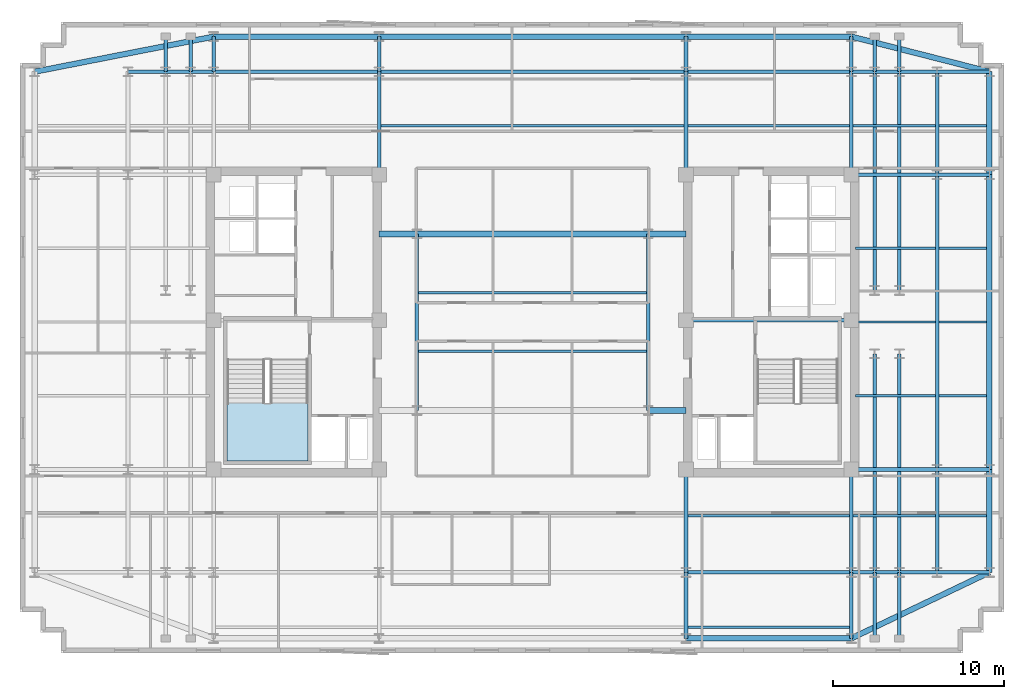
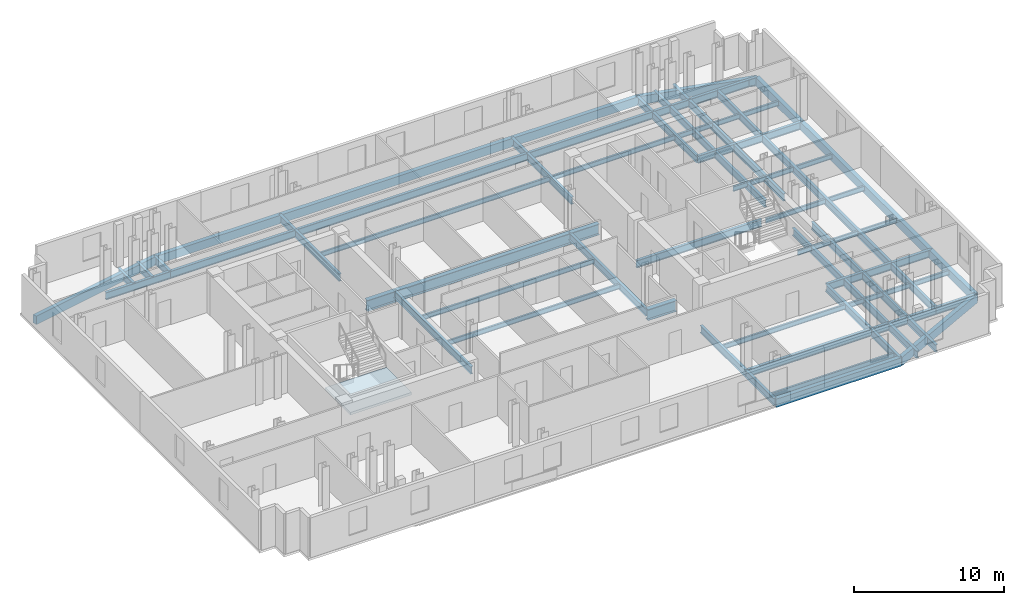
# One storey, part 2 of 9: 70 beams, 1 slab, 1 element without a shape of its own.
"""IFC4 building model written with IfcOpenShell, lengths in metres."""

from ifc_helpers import new_model, si_unit, direction, frame, origin, origin_2d, place, context, subcontext, project, spatial, polyline, rectangle, i_section, outline, extrude, material, layer, layer_set, material_profile, profile_set, type_object, element, aggregate, save


model = new_model("IFC4")

# Units and contexts
model_context = context("Model", 3, precision=1e-05, world=origin(), true_north=direction((0.0, 1.0)))
body_context = subcontext(model_context, "Body", "Model", "MODEL_VIEW")
ifc_project = project(units=[si_unit("LENGTHUNIT", "METRE"), si_unit("AREAUNIT", "SQUARE_METRE"), si_unit("VOLUMEUNIT", "CUBIC_METRE"), si_unit("PLANEANGLEUNIT", "RADIAN"), si_unit("MASSUNIT", "GRAM", prefix="KILO")], contexts=[model_context])

# Site, building, storey
site_placement = place(None, origin())
site = spatial("IfcSite", under=ifc_project, at=site_placement, CompositionType="ELEMENT")
building_placement = place(site_placement, origin())
building = spatial("IfcBuilding", under=site, at=building_placement, Name="Velakula Bourse", CompositionType="ELEMENT")
storey_placement = place(building_placement, frame((0.0, 0.0, 229.199951171875)))
storey = spatial("IfcBuildingStorey", under=building, at=storey_placement, Name="L62", CompositionType="ELEMENT", Elevation=229.199951171875)

# Beams
ifc_material_1 = material(Name="Steel IS 2062 Grade 350 (E350)", Category="steel")
ifc_material_profile_1 = material_profile(ifc_material_1, i_section(OverallWidth=0.2099609375, OverallDepth=0.60009765625, WebThickness=0.011962890625, FlangeThickness=0.020751953125, at=origin_2d()), Name="Steel IS 2062 Grade 350 (E350)")
ifc_profile_set_1 = profile_set([ifc_material_profile_1], Name="Steel IS 2062 Grade 350 (E350)")
beam_type_1 = type_object("IfcBeamType", Name="BM-GRD-600L", PredefinedType="BEAM", material=ifc_profile_set_1)
beam_1_placement = place(storey_placement, frame((8.949951171875, 0.10009765625, -0.47998046875), z_axis=(1.0, 0.0, 0.0), x_axis=(0.0, 1.0, 0.0)))
element("IfcBeam", 1, at=beam_1_placement, inside=storey, type_object=beam_type_1, Name="L62 Primary Backbone Girder CRE-M", PredefinedType="BEAM", context=body_context, shape_type="SweptSolid", body=[
    extrude(i_section(OverallWidth=0.2099609375, OverallDepth=0.60009765625, WebThickness=0.011962890625, FlangeThickness=0.020751953125, at=origin_2d()), origin(), (0.0, 0.0, 1.0), 9.650146484375),
])
for number, where, z_axis, x_axis, name in (
    (2, (-6.75, -5.14990234375, -0.47998046875), (0.0, 1.0, 0.0), (-1.0, 0.0, 0.0), "L62 Primary Backbone Girder SPN-W"),
    (3, (6.75, -5.14990234375, -0.47998046875), (0.0, 1.0, 0.0), (-1.0, 0.0, 0.0), "L62 Primary Backbone Girder SPN-E"),
):
    element("IfcBeam", number, at=place(storey_placement, frame(where, z_axis=z_axis, x_axis=x_axis)), inside=storey, type_object=beam_type_1, Name=name, PredefinedType="BEAM", context=body_context, shape_type="SweptSolid", body=[
        extrude(i_section(OverallWidth=0.2099609375, OverallDepth=0.60009765625, WebThickness=0.011962890625, FlangeThickness=0.020751953125, at=origin_2d()), origin(), (0.0, 0.0, 1.0), 10.2998046875),
    ])
for number, where, z_axis, x_axis, name in (
    (4, (-8.949951171875, 8.60009765625, -0.47998046875), (0.0, 1.0, 0.0), (-1.0, 0.0, 0.0), "L62 Fulcrum Grid Girder FLC-WCN"),
    (5, (8.949951171875, -14.60009765625, -0.47998046875), (0.0, 1.0, 0.0), (-1.0, 0.0, 0.0), "L62 Fulcrum Grid Girder FLC-ECS"),
    (6, (8.949951171875, 8.60009765625, -0.47998046875), (0.0, 1.0, 0.0), (-1.0, 0.0, 0.0), "L62 Fulcrum Grid Girder FLC-ECN"),
    (7, (18.60009765625, -14.60009765625, -0.47998046875), (0.0, 1.0, 0.0), (-1.0, 0.0, 0.0), "L62 Fulcrum Grid Girder FLC-ES"),
    (8, (18.60009765625, 8.60009765625, -0.47998046875), (0.0, 1.0, 0.0), (-1.0, 0.0, 0.0), "L62 Fulcrum Grid Girder FLC-EN"),
):
    element("IfcBeam", number, at=place(storey_placement, frame(where, z_axis=z_axis, x_axis=x_axis)), inside=storey, type_object=beam_type_1, Name=name, PredefinedType="BEAM", context=body_context, shape_type="SweptSolid", body=[
        extrude(i_section(OverallWidth=0.2099609375, OverallDepth=0.60009765625, WebThickness=0.011962890625, FlangeThickness=0.020751953125, at=origin_2d()), origin(), (0.0, 0.0, 1.0), 6.0),
    ])
for number, where, z_axis, x_axis, name in (
    (9, (8.949951171875, -14.60009765625, -0.47998046875), (1.0, 0.0, 0.0), (0.0, 1.0, 0.0), "L62 Fulcrum Grid Girder FLC-S3"),
    (10, (-18.60009765625, 14.60009765625, -0.47998046875), (1.0, 0.0, 0.0), (0.0, 1.0, 0.0), "L62 Fulcrum Grid Girder FLC-N1"),
):
    element("IfcBeam", number, at=place(storey_placement, frame(where, z_axis=z_axis, x_axis=x_axis)), inside=storey, type_object=beam_type_1, Name=name, PredefinedType="BEAM", context=body_context, shape_type="SweptSolid", body=[
        extrude(i_section(OverallWidth=0.2099609375, OverallDepth=0.60009765625, WebThickness=0.011962890625, FlangeThickness=0.020751953125, at=origin_2d()), origin(), (0.0, 0.0, 1.0), 9.650146484375),
    ])
beam_2_placement = place(storey_placement, frame((-8.949951171875, 14.60009765625, -0.47998046875), z_axis=(1.0, 0.0, 0.0), x_axis=(0.0, 1.0, 0.0)))
element("IfcBeam", 11, at=beam_2_placement, inside=storey, type_object=beam_type_1, Name="L62 Fulcrum Grid Girder FLC-N2", PredefinedType="BEAM", context=body_context, shape_type="SweptSolid", body=[
    extrude(i_section(OverallWidth=0.2099609375, OverallDepth=0.60009765625, WebThickness=0.011962890625, FlangeThickness=0.020751953125, at=origin_2d()), origin(), (0.0, 0.0, 1.0), 17.89990234375),
])
beam_3_placement = place(storey_placement, frame((8.949951171875, 14.60009765625, -0.47998046875), z_axis=(1.0, 0.0, 0.0), x_axis=(0.0, 1.0, 0.0)))
element("IfcBeam", 12, at=beam_3_placement, inside=storey, type_object=beam_type_1, Name="L62 Fulcrum Grid Girder FLC-N3", PredefinedType="BEAM", context=body_context, shape_type="SweptSolid", body=[
    extrude(i_section(OverallWidth=0.2099609375, OverallDepth=0.60009765625, WebThickness=0.011962890625, FlangeThickness=0.020751953125, at=origin_2d()), origin(), (0.0, 0.0, 1.0), 9.650146484375),
])
for number, where, z_axis, x_axis, name in (
    (13, (19.949951171875, -14.60009765625, -0.47998046875), (0.0, 1.0, 0.0), (-1.0, 0.0, 0.0), "L62 Fulcrum Grid Girder FLC-PSE1"),
    (14, (19.949951171875, 1.85009765625, -0.47998046875), (0.0, 1.0, 0.0), (-1.0, 0.0, 0.0), "L62 Fulcrum Grid Girder FLC-PNE1"),
    (15, (21.39990234375, -14.60009765625, -0.47998046875), (0.0, 1.0, 0.0), (-1.0, 0.0, 0.0), "L62 Fulcrum Grid Girder FLC-PSE2"),
    (16, (21.39990234375, 1.85009765625, -0.47998046875), (0.0, 1.0, 0.0), (-1.0, 0.0, 0.0), "L62 Fulcrum Grid Girder FLC-PNE2"),
):
    element("IfcBeam", number, at=place(storey_placement, frame(where, z_axis=z_axis, x_axis=x_axis)), inside=storey, type_object=beam_type_1, Name=name, PredefinedType="BEAM", context=body_context, shape_type="SweptSolid", body=[
        extrude(i_section(OverallWidth=0.2099609375, OverallDepth=0.60009765625, WebThickness=0.011962890625, FlangeThickness=0.020751953125, at=origin_2d()), origin(), (0.0, 0.0, 1.0), 12.75),
    ])
for number, where, z_axis, x_axis, name in (
    (17, (-23.60009765625, 14.60009765625, -0.47998046875), (1.0, 0.0, 0.0), (0.0, 1.0, 0.0), "L62 Fulcrum Grid Girder MWG-WN2"),
    (18, (18.60009765625, -14.60009765625, -0.47998046875), (1.0, 0.0, 0.0), (0.0, 1.0, 0.0), "L62 Fulcrum Grid Girder MWG-ES1"),
    (19, (18.60009765625, -8.60009765625, -0.47998046875), (1.0, 0.0, 0.0), (0.0, 1.0, 0.0), "L62 Fulcrum Grid Girder MWG-ES2"),
    (20, (18.60009765625, 8.60009765625, -0.47998046875), (1.0, 0.0, 0.0), (0.0, 1.0, 0.0), "L62 Fulcrum Grid Girder MWG-EN1"),
    (21, (18.60009765625, 14.60009765625, -0.47998046875), (1.0, 0.0, 0.0), (0.0, 1.0, 0.0), "L62 Fulcrum Grid Girder MWG-EN2"),
):
    element("IfcBeam", number, at=place(storey_placement, frame(where, z_axis=z_axis, x_axis=x_axis)), inside=storey, type_object=beam_type_1, Name=name, PredefinedType="BEAM", context=body_context, shape_type="SweptSolid", body=[
        extrude(i_section(OverallWidth=0.2099609375, OverallDepth=0.60009765625, WebThickness=0.011962890625, FlangeThickness=0.020751953125, at=origin_2d()), origin(), (0.0, 0.0, 1.0), 5.0),
    ])
beam_4_placement = place(storey_placement, frame((23.60009765625, -14.60009765625, -0.47998046875), z_axis=(0.0, 1.0, 0.0), x_axis=(-1.0, 0.0, 0.0)))
element("IfcBeam", 22, at=beam_4_placement, inside=storey, type_object=beam_type_1, Name="L62 Fulcrum Grid Girder MWG-ENS1", PredefinedType="BEAM", context=body_context, shape_type="SweptSolid", body=[
    extrude(i_section(OverallWidth=0.2099609375, OverallDepth=0.60009765625, WebThickness=0.011962890625, FlangeThickness=0.020751953125, at=origin_2d()), origin(), (0.0, 0.0, 1.0), 6.0),
])
beam_5_placement = place(storey_placement, frame((23.60009765625, -8.60009765625, -0.47998046875), z_axis=(0.0, 1.0, 0.0), x_axis=(-1.0, 0.0, 0.0)))
element("IfcBeam", 23, at=beam_5_placement, inside=storey, type_object=beam_type_1, Name="L62 Fulcrum Grid Girder MWG-ENS2", PredefinedType="BEAM", context=body_context, shape_type="SweptSolid", body=[
    extrude(i_section(OverallWidth=0.2099609375, OverallDepth=0.60009765625, WebThickness=0.011962890625, FlangeThickness=0.020751953125, at=origin_2d()), origin(), (0.0, 0.0, 1.0), 17.2001953125),
])
beam_6_placement = place(storey_placement, frame((23.60009765625, 8.60009765625, -0.47998046875), z_axis=(0.0, 1.0, 0.0), x_axis=(-1.0, 0.0, 0.0)))
element("IfcBeam", 24, at=beam_6_placement, inside=storey, type_object=beam_type_1, Name="L62 Fulcrum Grid Girder MWG-ENS3", PredefinedType="BEAM", context=body_context, shape_type="SweptSolid", body=[
    extrude(i_section(OverallWidth=0.2099609375, OverallDepth=0.60009765625, WebThickness=0.011962890625, FlangeThickness=0.020751953125, at=origin_2d()), origin(), (0.0, 0.0, 1.0), 6.0),
])
for number, where, z_axis, x_axis, name in (
    (25, (8.949951171875, -14.60009765625, -0.47998046875), (0.0, -1.0, 0.0), (1.0, 0.0, 0.0), "L62 Perimeter Tie Girder S3"),
    (26, (18.60009765625, -14.60009765625, -0.47998046875), (0.0, -1.0, 0.0), (1.0, 0.0, 0.0), "L62 Perimeter Tie Girder S4"),
):
    element("IfcBeam", number, at=place(storey_placement, frame(where, z_axis=z_axis, x_axis=x_axis)), inside=storey, type_object=beam_type_1, Name=name, PredefinedType="BEAM", context=body_context, shape_type="SweptSolid", body=[
        extrude(i_section(OverallWidth=0.2099609375, OverallDepth=0.60009765625, WebThickness=0.011962890625, FlangeThickness=0.020751953125, at=origin_2d()), origin(), (0.0, 0.0, 1.0), 3.849853515625),
    ])
for number, where, z_axis, x_axis, name in (
    (27, (-18.60009765625, 14.60009765625, -0.47998046875), (0.0, 1.0, 0.0), (-1.0, 0.0, 0.0), "L62 Perimeter Tie Girder N1"),
    (28, (-8.949951171875, 14.60009765625, -0.47998046875), (0.0, 1.0, 0.0), (-1.0, 0.0, 0.0), "L62 Perimeter Tie Girder N2"),
    (29, (8.949951171875, 14.60009765625, -0.47998046875), (0.0, 1.0, 0.0), (-1.0, 0.0, 0.0), "L62 Perimeter Tie Girder N3"),
    (30, (18.60009765625, 14.60009765625, -0.47998046875), (0.0, 1.0, 0.0), (-1.0, 0.0, 0.0), "L62 Perimeter Tie Girder N4"),
):
    element("IfcBeam", number, at=place(storey_placement, frame(where, z_axis=z_axis, x_axis=x_axis)), inside=storey, type_object=beam_type_1, Name=name, PredefinedType="BEAM", context=body_context, shape_type="SweptSolid", body=[
        extrude(i_section(OverallWidth=0.2099609375, OverallDepth=0.60009765625, WebThickness=0.011962890625, FlangeThickness=0.020751953125, at=origin_2d()), origin(), (0.0, 0.0, 1.0), 2.0498046875),
    ])
for number, where, z_axis, x_axis, name in (
    (31, (23.60009765625, -14.60009765625, -0.47998046875), (1.0, 0.0, 0.0), (0.0, 1.0, 0.0), "L62 Perimeter Tie Girder E1"),
    (32, (23.60009765625, -8.60009765625, -0.47998046875), (1.0, 0.0, 0.0), (0.0, 1.0, 0.0), "L62 Perimeter Tie Girder E2"),
    (33, (23.60009765625, 8.60009765625, -0.47998046875), (1.0, 0.0, 0.0), (0.0, 1.0, 0.0), "L62 Perimeter Tie Girder E3"),
    (34, (23.60009765625, 14.60009765625, -0.47998046875), (1.0, 0.0, 0.0), (0.0, 1.0, 0.0), "L62 Perimeter Tie Girder E4"),
):
    element("IfcBeam", number, at=place(storey_placement, frame(where, z_axis=z_axis, x_axis=x_axis)), inside=storey, type_object=beam_type_1, Name=name, PredefinedType="BEAM", context=body_context, shape_type="SweptSolid", body=[
        extrude(i_section(OverallWidth=0.2099609375, OverallDepth=0.60009765625, WebThickness=0.011962890625, FlangeThickness=0.020751953125, at=origin_2d()), origin(), (0.0, 0.0, 1.0), 3.0498046875),
    ])
for number, where, z_axis, x_axis, name in (
    (35, (19.949951171875, -14.60009765625, -0.47998046875), (0.0, -1.0, 0.0), (1.0, 0.0, 0.0), "L62 Perimeter Tie Girder P03"),
    (36, (21.39990234375, -14.60009765625, -0.47998046875), (0.0, -1.0, 0.0), (1.0, 0.0, 0.0), "L62 Perimeter Tie Girder P04"),
):
    element("IfcBeam", number, at=place(storey_placement, frame(where, z_axis=z_axis, x_axis=x_axis)), inside=storey, type_object=beam_type_1, Name=name, PredefinedType="BEAM", context=body_context, shape_type="SweptSolid", body=[
        extrude(i_section(OverallWidth=0.2099609375, OverallDepth=0.60009765625, WebThickness=0.011962890625, FlangeThickness=0.020751953125, at=origin_2d()), origin(), (0.0, 0.0, 1.0), 3.849853515625),
    ])
for number, where, z_axis, x_axis, name in (
    (37, (-21.39990234375, 14.60009765625, -0.47998046875), (0.0, 1.0, 0.0), (-1.0, 0.0, 0.0), "L62 Perimeter Tie Girder P05"),
    (38, (-19.949951171875, 14.60009765625, -0.47998046875), (0.0, 1.0, 0.0), (-1.0, 0.0, 0.0), "L62 Perimeter Tie Girder P06"),
    (39, (19.949951171875, 14.60009765625, -0.47998046875), (0.0, 1.0, 0.0), (-1.0, 0.0, 0.0), "L62 Perimeter Tie Girder P07"),
    (40, (21.39990234375, 14.60009765625, -0.47998046875), (0.0, 1.0, 0.0), (-1.0, 0.0, 0.0), "L62 Perimeter Tie Girder P08"),
):
    element("IfcBeam", number, at=place(storey_placement, frame(where, z_axis=z_axis, x_axis=x_axis)), inside=storey, type_object=beam_type_1, Name=name, PredefinedType="BEAM", context=body_context, shape_type="SweptSolid", body=[
        extrude(i_section(OverallWidth=0.2099609375, OverallDepth=0.60009765625, WebThickness=0.011962890625, FlangeThickness=0.020751953125, at=origin_2d()), origin(), (0.0, 0.0, 1.0), 2.0498046875),
    ])
ifc_material_profile_2 = material_profile(ifc_material_1, i_section(OverallWidth=0.35009765625, OverallDepth=0.89990234375, WebThickness=0.02001953125, FlangeThickness=0.031982421875, at=origin_2d()), Name="Steel IS 2062 Grade 350 (E350)")
ifc_profile_set_2 = profile_set([ifc_material_profile_2], Name="Steel IS 2062 Grade 350 (E350)")
beam_type_2 = type_object("IfcBeamType", Name="BM-LNK-900", PredefinedType="BEAM", material=ifc_profile_set_2)
for number, where, z_axis, x_axis, name in (
    (41, (6.75, -5.14990234375, -0.6298828125), (1.0, 0.0, 0.0), (0.0, 1.0, 0.0), "L62 Primary Backbone Girder LNK-S3"),
    (42, (-8.949951171875, 5.14990234375, -0.6298828125), (1.0, 0.0, 0.0), (0.0, 1.0, 0.0), "L62 Primary Backbone Girder LNK-N1"),
):
    element("IfcBeam", number, at=place(storey_placement, frame(where, z_axis=z_axis, x_axis=x_axis)), inside=storey, type_object=beam_type_2, Name=name, PredefinedType="BEAM", context=body_context, shape_type="SweptSolid", body=[
        extrude(i_section(OverallWidth=0.35009765625, OverallDepth=0.89990234375, WebThickness=0.02001953125, FlangeThickness=0.031982421875, at=origin_2d()), origin(), (0.0, 0.0, 1.0), 2.199951171875),
    ])
beam_7_placement = place(storey_placement, frame((-6.75, 5.14990234375, -0.6298828125), z_axis=(1.0, 0.0, 0.0), x_axis=(0.0, 1.0, 0.0)))
element("IfcBeam", 43, at=beam_7_placement, inside=storey, type_object=beam_type_2, Name="L62 Primary Backbone Girder LNK-N2", PredefinedType="BEAM", context=body_context, shape_type="SweptSolid", body=[
    extrude(i_section(OverallWidth=0.35009765625, OverallDepth=0.89990234375, WebThickness=0.02001953125, FlangeThickness=0.031982421875, at=origin_2d()), origin(), (0.0, 0.0, 1.0), 13.5),
])
beam_8_placement = place(storey_placement, frame((6.75, 5.14990234375, -0.6298828125), z_axis=(1.0, 0.0, 0.0), x_axis=(0.0, 1.0, 0.0)))
element("IfcBeam", 44, at=beam_8_placement, inside=storey, type_object=beam_type_2, Name="L62 Primary Backbone Girder LNK-N3", PredefinedType="BEAM", context=body_context, shape_type="SweptSolid", body=[
    extrude(i_section(OverallWidth=0.35009765625, OverallDepth=0.89990234375, WebThickness=0.02001953125, FlangeThickness=0.031982421875, at=origin_2d()), origin(), (0.0, 0.0, 1.0), 2.199951171875),
])
ifc_material_profile_3 = material_profile(ifc_material_1, i_section(OverallWidth=0.139892578125, OverallDepth=0.39990234375, WebThickness=0.0087890625, FlangeThickness=0.01611328125, at=origin_2d()), Name="Steel IS 2062 Grade 350 (E350)")
ifc_profile_set_3 = profile_set([ifc_material_profile_3], Name="Steel IS 2062 Grade 350 (E350)")
beam_type_3 = type_object("IfcBeamType", Name="JST-TWR-400", PredefinedType="JOIST", material=ifc_profile_set_3)
for number, where, z_axis, x_axis, name in (
    (45, (9.054931640625, -17.800048828125, -0.3798828125), (1.0, 0.0, 0.0), (0.0, 1.0, 0.0), "L62 Trading Floor Composite Joist 03"),
    (46, (9.054931640625, -11.300048828125, -0.3798828125), (1.0, 0.0, 0.0), (0.0, 1.0, 0.0), "L62 Trading Floor Composite Joist 08"),
):
    element("IfcBeam", number, at=place(storey_placement, frame(where, z_axis=z_axis, x_axis=x_axis)), inside=storey, type_object=beam_type_3, Name=name, PredefinedType="JOIST", context=body_context, shape_type="SweptSolid", body=[
        extrude(i_section(OverallWidth=0.139892578125, OverallDepth=0.39990234375, WebThickness=0.0087890625, FlangeThickness=0.01611328125, at=origin_2d()), origin(), (0.0, 0.0, 1.0), 9.440185546875),
    ])
beam_9_placement = place(storey_placement, frame((18.705078125, -11.300048828125, -0.3798828125), z_axis=(1.0, 0.0, 0.0), x_axis=(0.0, 1.0, 0.0)))
element("IfcBeam", 47, at=beam_9_placement, inside=storey, type_object=beam_type_3, Name="L62 Trading Floor Composite Joist 09", PredefinedType="JOIST", context=body_context, shape_type="SweptSolid", body=[
    extrude(i_section(OverallWidth=0.139892578125, OverallDepth=0.39990234375, WebThickness=0.0087890625, FlangeThickness=0.01611328125, at=origin_2d()), origin(), (0.0, 0.0, 1.0), 4.7900390625),
])
beam_10_placement = place(storey_placement, frame((23.705078125, -11.300048828125, -0.3798828125), z_axis=(1.0, 0.0, 0.0), x_axis=(0.0, 1.0, 0.0)))
element("IfcBeam", 48, at=beam_10_placement, inside=storey, type_object=beam_type_3, Name="L62 Trading Floor Composite Joist 10", PredefinedType="JOIST", context=body_context, shape_type="SweptSolid", body=[
    extrude(i_section(OverallWidth=0.139892578125, OverallDepth=0.39990234375, WebThickness=0.0087890625, FlangeThickness=0.01611328125, at=origin_2d()), origin(), (0.0, 0.0, 1.0), 2.784912109375),
])
beam_11_placement = place(storey_placement, frame((-8.844970703125, 11.449951171875, -0.3798828125), z_axis=(1.0, 0.0, 0.0), x_axis=(0.0, 1.0, 0.0)))
element("IfcBeam", 49, at=beam_11_placement, inside=storey, type_object=beam_type_3, Name="L62 Trading Floor Composite Joist 14", PredefinedType="JOIST", context=body_context, shape_type="SweptSolid", body=[
    extrude(i_section(OverallWidth=0.139892578125, OverallDepth=0.39990234375, WebThickness=0.0087890625, FlangeThickness=0.01611328125, at=origin_2d()), origin(), (0.0, 0.0, 1.0), 17.68994140625),
])
beam_12_placement = place(storey_placement, frame((9.054931640625, 11.449951171875, -0.3798828125), z_axis=(1.0, 0.0, 0.0), x_axis=(0.0, 1.0, 0.0)))
element("IfcBeam", 50, at=beam_12_placement, inside=storey, type_object=beam_type_3, Name="L62 Trading Floor Composite Joist 15", PredefinedType="JOIST", context=body_context, shape_type="SweptSolid", body=[
    extrude(i_section(OverallWidth=0.139892578125, OverallDepth=0.39990234375, WebThickness=0.0087890625, FlangeThickness=0.01611328125, at=origin_2d()), origin(), (0.0, 0.0, 1.0), 9.440185546875),
])
beam_13_placement = place(storey_placement, frame((18.705078125, 11.449951171875, -0.3798828125), z_axis=(1.0, 0.0, 0.0), x_axis=(0.0, 1.0, 0.0)))
element("IfcBeam", 51, at=beam_13_placement, inside=storey, type_object=beam_type_3, Name="L62 Trading Floor Composite Joist 16", PredefinedType="JOIST", context=body_context, shape_type="SweptSolid", body=[
    extrude(i_section(OverallWidth=0.139892578125, OverallDepth=0.39990234375, WebThickness=0.0087890625, FlangeThickness=0.01611328125, at=origin_2d()), origin(), (0.0, 0.0, 1.0), 4.7900390625),
])
beam_14_placement = place(storey_placement, frame((23.705078125, 11.449951171875, -0.3798828125), z_axis=(1.0, 0.0, 0.0), x_axis=(0.0, 1.0, 0.0)))
element("IfcBeam", 52, at=beam_14_placement, inside=storey, type_object=beam_type_3, Name="L62 Trading Floor Composite Joist 17", PredefinedType="JOIST", context=body_context, shape_type="SweptSolid", body=[
    extrude(i_section(OverallWidth=0.139892578125, OverallDepth=0.39990234375, WebThickness=0.0087890625, FlangeThickness=0.01611328125, at=origin_2d()), origin(), (0.0, 0.0, 1.0), 2.784912109375),
])
for number, where, z_axis, x_axis, name in (
    (53, (-6.64501953125, -1.699951171875, -0.3798828125), (1.0, 0.0, 0.0), (0.0, 1.0, 0.0), "L62 Trading Floor Composite Joist 18"),
    (54, (-6.64501953125, 1.699951171875, -0.3798828125), (1.0, 0.0, 0.0), (0.0, 1.0, 0.0), "L62 Trading Floor Composite Joist 19"),
):
    element("IfcBeam", number, at=place(storey_placement, frame(where, z_axis=z_axis, x_axis=x_axis)), inside=storey, type_object=beam_type_3, Name=name, PredefinedType="JOIST", context=body_context, shape_type="SweptSolid", body=[
        extrude(i_section(OverallWidth=0.139892578125, OverallDepth=0.39990234375, WebThickness=0.0087890625, FlangeThickness=0.01611328125, at=origin_2d()), origin(), (0.0, 0.0, 1.0), 13.2900390625),
    ])
beam_15_placement = place(storey_placement, frame((18.85009765625, -4.300048828125, -0.3798828125), z_axis=(1.0, 0.0, 0.0), x_axis=(0.0, 1.0, 0.0)))
element("IfcBeam", 55, at=beam_15_placement, inside=storey, type_object=beam_type_3, Name="L62 Trading Floor Composite Joist 22", PredefinedType="JOIST", context=body_context, shape_type="SweptSolid", body=[
    extrude(i_section(OverallWidth=0.139892578125, OverallDepth=0.39990234375, WebThickness=0.0087890625, FlangeThickness=0.01611328125, at=origin_2d()), origin(), (0.0, 0.0, 1.0), 4.64501953125),
])
beam_16_placement = place(storey_placement, frame((23.705078125, -4.300048828125, -0.3798828125), z_axis=(1.0, 0.0, 0.0), x_axis=(0.0, 1.0, 0.0)))
element("IfcBeam", 56, at=beam_16_placement, inside=storey, type_object=beam_type_3, Name="L62 Trading Floor Composite Joist 23", PredefinedType="JOIST", context=body_context, shape_type="SweptSolid", body=[
    extrude(i_section(OverallWidth=0.139892578125, OverallDepth=0.39990234375, WebThickness=0.0087890625, FlangeThickness=0.01611328125, at=origin_2d()), origin(), (0.0, 0.0, 1.0), 2.784912109375),
])
beam_17_placement = place(storey_placement, frame((18.85009765625, 0.0, -0.3798828125), z_axis=(1.0, 0.0, 0.0), x_axis=(0.0, 1.0, 0.0)))
element("IfcBeam", 57, at=beam_17_placement, inside=storey, type_object=beam_type_3, Name="L62 Trading Floor Composite Joist 26", PredefinedType="JOIST", context=body_context, shape_type="SweptSolid", body=[
    extrude(i_section(OverallWidth=0.139892578125, OverallDepth=0.39990234375, WebThickness=0.0087890625, FlangeThickness=0.01611328125, at=origin_2d()), origin(), (0.0, 0.0, 1.0), 4.64501953125),
])
beam_18_placement = place(storey_placement, frame((23.705078125, 0.0, -0.3798828125), z_axis=(1.0, 0.0, 0.0), x_axis=(0.0, 1.0, 0.0)))
element("IfcBeam", 58, at=beam_18_placement, inside=storey, type_object=beam_type_3, Name="L62 Trading Floor Composite Joist 27", PredefinedType="JOIST", context=body_context, shape_type="SweptSolid", body=[
    extrude(i_section(OverallWidth=0.139892578125, OverallDepth=0.39990234375, WebThickness=0.0087890625, FlangeThickness=0.01611328125, at=origin_2d()), origin(), (0.0, 0.0, 1.0), 2.784912109375),
])
beam_19_placement = place(storey_placement, frame((18.85009765625, 4.300048828125, -0.3798828125), z_axis=(1.0, 0.0, 0.0), x_axis=(0.0, 1.0, 0.0)))
element("IfcBeam", 59, at=beam_19_placement, inside=storey, type_object=beam_type_3, Name="L62 Trading Floor Composite Joist 30", PredefinedType="JOIST", context=body_context, shape_type="SweptSolid", body=[
    extrude(i_section(OverallWidth=0.139892578125, OverallDepth=0.39990234375, WebThickness=0.0087890625, FlangeThickness=0.01611328125, at=origin_2d()), origin(), (0.0, 0.0, 1.0), 4.64501953125),
])
beam_20_placement = place(storey_placement, frame((23.705078125, 4.300048828125, -0.3798828125), z_axis=(1.0, 0.0, 0.0), x_axis=(0.0, 1.0, 0.0)))
element("IfcBeam", 60, at=beam_20_placement, inside=storey, type_object=beam_type_3, Name="L62 Trading Floor Composite Joist 31", PredefinedType="JOIST", context=body_context, shape_type="SweptSolid", body=[
    extrude(i_section(OverallWidth=0.139892578125, OverallDepth=0.39990234375, WebThickness=0.0087890625, FlangeThickness=0.01611328125, at=origin_2d()), origin(), (0.0, 0.0, 1.0), 2.784912109375),
])
ifc_material_2 = material(Name="Precast concrete M45 (fck 45 MPa)", Category="concrete")
ifc_material_profile_4 = material_profile(ifc_material_2, rectangle(XDim=0.320068359375, YDim=0.679931640625, at=origin_2d()), Name="Precast concrete M45 (fck 45 MPa)")
ifc_profile_set_4 = profile_set([ifc_material_profile_4], Name="Precast concrete M45 (fck 45 MPa)")
beam_type_4 = type_object("IfcBeamType", Name="SPN-BRICK-680", PredefinedType="SPANDREL", material=ifc_profile_set_4)
for number, where, z_axis, x_axis, name in (
    (61, (8.949951171875, -18.449951171875, -0.52001953125), (1.0, 0.0, 0.0), (0.0, 1.0, 0.0), "L62 Brick-Faced Precast Spandrel S3-S4"),
    (62, (-18.60009765625, 16.64990234375, -0.52001953125), (1.0, 0.0, 0.0), (0.0, 1.0, 0.0), "L62 Brick-Faced Precast Spandrel N1-N2"),
):
    element("IfcBeam", number, at=place(storey_placement, frame(where, z_axis=z_axis, x_axis=x_axis)), inside=storey, type_object=beam_type_4, Name=name, PredefinedType="SPANDREL", context=body_context, shape_type="SweptSolid", body=[
        extrude(rectangle(XDim=0.320068359375, YDim=0.679931640625, at=origin_2d()), origin(), (0.0, 0.0, 1.0), 9.650146484375),
    ])
beam_21_placement = place(storey_placement, frame((-8.949951171875, 16.64990234375, -0.52001953125), z_axis=(1.0, 0.0, 0.0), x_axis=(0.0, 1.0, 0.0)))
element("IfcBeam", 63, at=beam_21_placement, inside=storey, type_object=beam_type_4, Name="L62 Brick-Faced Precast Spandrel N2-N3", PredefinedType="SPANDREL", context=body_context, shape_type="SweptSolid", body=[
    extrude(rectangle(XDim=0.320068359375, YDim=0.679931640625, at=origin_2d()), origin(), (0.0, 0.0, 1.0), 17.89990234375),
])
beam_22_placement = place(storey_placement, frame((8.949951171875, 16.64990234375, -0.52001953125), z_axis=(1.0, 0.0, 0.0), x_axis=(0.0, 1.0, 0.0)))
element("IfcBeam", 64, at=beam_22_placement, inside=storey, type_object=beam_type_4, Name="L62 Brick-Faced Precast Spandrel N3-N4", PredefinedType="SPANDREL", context=body_context, shape_type="SweptSolid", body=[
    extrude(rectangle(XDim=0.320068359375, YDim=0.679931640625, at=origin_2d()), origin(), (0.0, 0.0, 1.0), 9.650146484375),
])
beam_23_placement = place(storey_placement, frame((26.64990234375, -14.60009765625, -0.52001953125), z_axis=(0.0, 1.0, 0.0), x_axis=(-1.0, 0.0, 0.0)))
element("IfcBeam", 65, at=beam_23_placement, inside=storey, type_object=beam_type_4, Name="L62 Brick-Faced Precast Spandrel E1-E2", PredefinedType="SPANDREL", context=body_context, shape_type="SweptSolid", body=[
    extrude(rectangle(XDim=0.320068359375, YDim=0.679931640625, at=origin_2d()), origin(), (0.0, 0.0, 1.0), 6.0),
])
beam_24_placement = place(storey_placement, frame((26.64990234375, -8.60009765625, -0.52001953125), z_axis=(0.0, 1.0, 0.0), x_axis=(-1.0, 0.0, 0.0)))
element("IfcBeam", 66, at=beam_24_placement, inside=storey, type_object=beam_type_4, Name="L62 Brick-Faced Precast Spandrel E2-E3", PredefinedType="SPANDREL", context=body_context, shape_type="SweptSolid", body=[
    extrude(rectangle(XDim=0.320068359375, YDim=0.679931640625, at=origin_2d()), origin(), (0.0, 0.0, 1.0), 17.2001953125),
])
beam_25_placement = place(storey_placement, frame((26.64990234375, 8.60009765625, -0.52001953125), z_axis=(0.0, 1.0, 0.0), x_axis=(-1.0, 0.0, 0.0)))
element("IfcBeam", 67, at=beam_25_placement, inside=storey, type_object=beam_type_4, Name="L62 Brick-Faced Precast Spandrel E3-E4", PredefinedType="SPANDREL", context=body_context, shape_type="SweptSolid", body=[
    extrude(rectangle(XDim=0.320068359375, YDim=0.679931640625, at=origin_2d()), origin(), (0.0, 0.0, 1.0), 6.0),
])
beam_26_placement = place(storey_placement, frame((18.60009765625, -18.449951171875, -0.52001953125), z_axis=(0.902136536758, 0.431450656561, 0.0), x_axis=(-0.431450656561, 0.902136536758, 0.0)))
element("IfcBeam", 68, at=beam_26_placement, inside=storey, type_object=beam_type_4, Name="L62 Brick-Faced Precast Spandrel S4-E1", PredefinedType="SPANDREL", context=body_context, shape_type="SweptSolid", body=[
    extrude(rectangle(XDim=0.320068359375, YDim=0.679931640625, at=origin_2d()), origin(), (0.0, 0.0, 1.0), 8.923095703125),
])
beam_27_placement = place(storey_placement, frame((26.64990234375, 14.60009765625, -0.52001953125), z_axis=(-0.969075197656, 0.246765599888, 0.0), x_axis=(-0.246765599888, -0.969075197656, 0.0)))
element("IfcBeam", 69, at=beam_27_placement, inside=storey, type_object=beam_type_4, Name="L62 Brick-Faced Precast Spandrel E4-N4", PredefinedType="SPANDREL", context=body_context, shape_type="SweptSolid", body=[
    extrude(rectangle(XDim=0.320068359375, YDim=0.679931640625, at=origin_2d()), origin(), (0.0, 0.0, 1.0), 8.306640625),
])
beam_28_placement = place(storey_placement, frame((-18.60009765625, 16.64990234375, -0.52001953125), z_axis=(-0.981299657048, -0.192486319197, 0.0), x_axis=(0.192486319197, -0.981299657048, 0.0)))
element("IfcBeam", 70, at=beam_28_placement, inside=storey, type_object=beam_type_4, Name="L62 Brick-Faced Precast Spandrel N1-W4", PredefinedType="SPANDREL", context=body_context, shape_type="SweptSolid", body=[
    extrude(rectangle(XDim=0.320068359375, YDim=0.679931640625, at=origin_2d()), origin(), (0.0, 0.0, 1.0), 10.649169921875),
])

# Stair, slab
ifc_material_3 = material(Name="Concrete M45 (fck 45 MPa)", Category="concrete")
stair_type = type_object("IfcStairType", Name="STR-DOG-390", PredefinedType="HALF_TURN_STAIR", material=ifc_material_3)
stair_placement = place(storey_placement, origin())
stair = element("IfcStair", 71, at=stair_placement, inside=storey, type_object=stair_type, Name="L62 West Core Exit Stair ST-W1", PredefinedType="HALF_TURN_STAIR")
ifc_layer = layer(ifc_material_3, 0.199951171875, Name="Concrete M45 (fck 45 MPa)", Category="concrete")
ifc_layer_set = layer_set([ifc_layer], Name="Concrete M45 (fck 45 MPa)")
slab_type = type_object("IfcSlabType", Name="SLB-STAIR-LND-200", PredefinedType="LANDING", material=ifc_layer_set)
slab_placement = place(storey_placement, frame((0.0, 0.0, 1.525146484375)))
slab = element("IfcSlab", 72, at=slab_placement, type_object=slab_type, Name="ST-W1 landing 1", PredefinedType="LANDING", context=body_context, shape_type="SweptSolid", body=[
    extrude(outline(polyline([(-17.820068359375, -4.719970703125), (-17.820068359375, -8.10009765625), (-13.10009765625, -8.10009765625), (-13.10009765625, -4.719970703125), (-17.820068359375, -4.719970703125)])), origin(), (0.0, 0.0, 1.0), 0.199951171875),
])
aggregate(stair, [slab])

save(model, "model.ifc")
